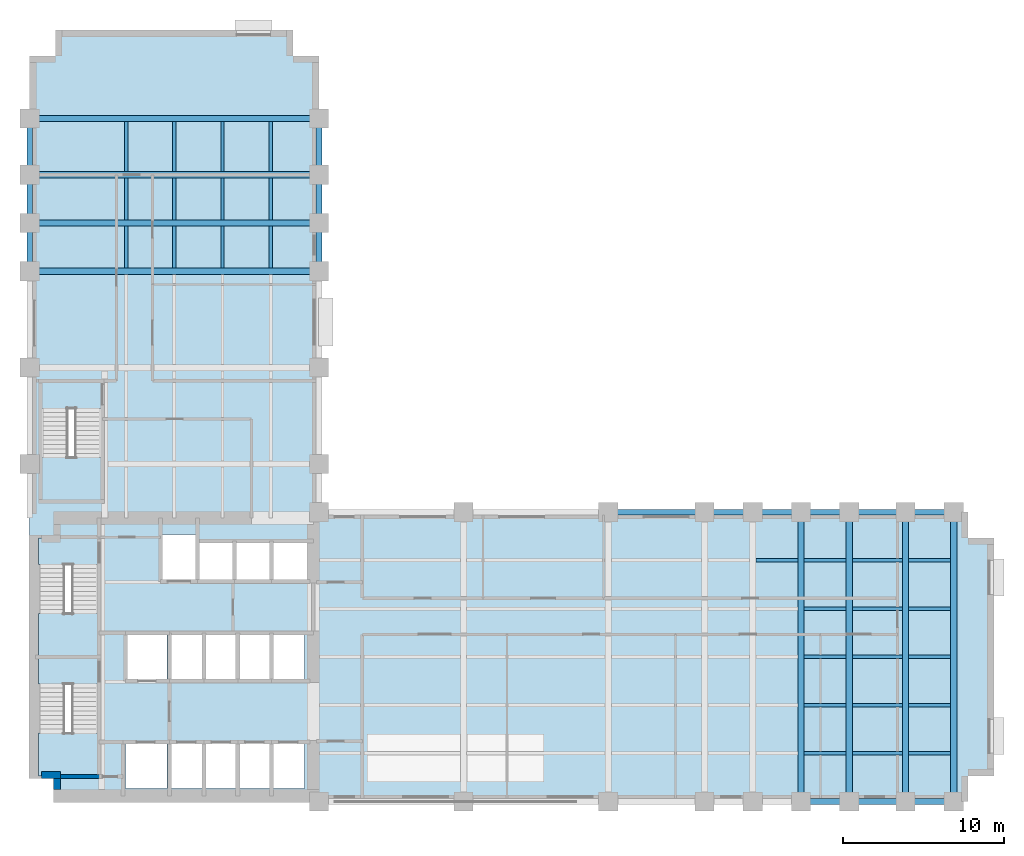
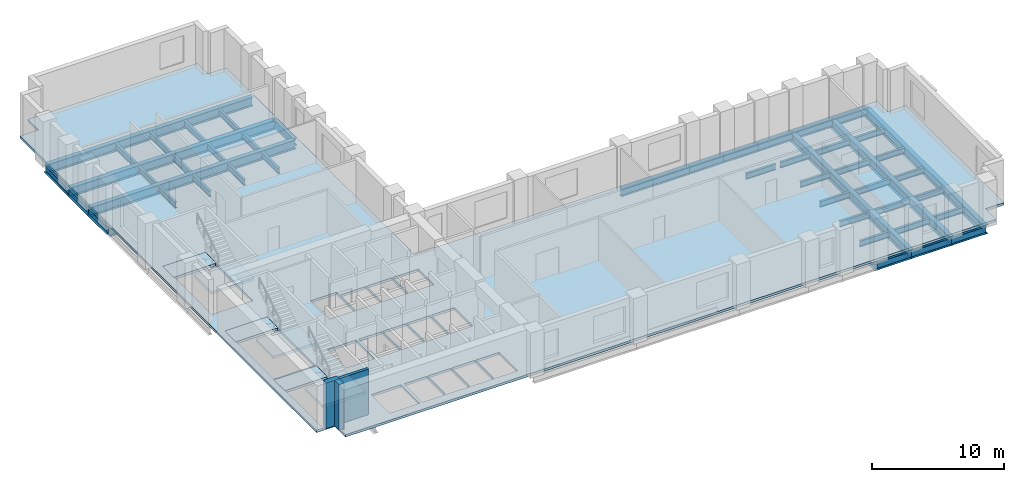
# One storey, part 2 of 8: 51 beams, 7 slabs, 3 walls, 3 elements without a shape of their own.
"""IFC4 building model written with IfcOpenShell, lengths in metres."""

from ifc_helpers import new_model, si_unit, direction, frame, frame_2d, origin, origin_2d, place, context, subcontext, project, spatial, polyline, rectangle, i_section, outline, extrude, material, layer, layer_set, material_profile, profile_set, type_object, element, aggregate, save


model = new_model("IFC4")

# Units and contexts
model_context = context("Model", 3, precision=1e-05, world=origin(), true_north=direction((0.0, 1.0)))
body_context = subcontext(model_context, "Body", "Model", "MODEL_VIEW")
ifc_project = project(units=[si_unit("LENGTHUNIT", "METRE"), si_unit("AREAUNIT", "SQUARE_METRE"), si_unit("VOLUMEUNIT", "CUBIC_METRE"), si_unit("PLANEANGLEUNIT", "RADIAN"), si_unit("MASSUNIT", "GRAM", prefix="KILO")], contexts=[model_context])

# Site, building, storey
site_placement = place(None, origin())
site = spatial("IfcSite", under=ifc_project, at=site_placement, CompositionType="ELEMENT")
building_placement = place(site_placement, origin())
building = spatial("IfcBuilding", under=site, at=building_placement, Name="Mawjdan Bourse Tower", CompositionType="ELEMENT")
storey_placement = place(building_placement, frame((0.0, 0.0, 38.39990234375)))
storey = spatial("IfcBuildingStorey", under=building, at=storey_placement, Name="L08", CompositionType="ELEMENT", Elevation=38.39990234375)

# Beams
ifc_material_1 = material(Name="Structural Steel S355", Category="steel")
ifc_material_profile_1 = material_profile(ifc_material_1, i_section(OverallWidth=0.39892578125, OverallDepth=0.85595703125, WebThickness=0.018310546875, FlangeThickness=0.029296875, FilletRadius=0.0234375, at=origin_2d()), Name="W33X201")
ifc_profile_set_1 = profile_set([ifc_material_profile_1], Name="Structural Steel S355")
beam_type_1 = type_object("IfcBeamType", Name="GRD-W33X201", PredefinedType="BEAM", material=ifc_profile_set_1)
for number, where, z_axis, x_axis, name in (
    (1, (54.0, 3.0, -0.64794921875), (0.0, 1.0, 0.0), (-1.0, 0.0, 0.0), "L08 East Wing Clear-Span Girder 006"),
    (2, (57.0, 3.0, -0.64794921875), (0.0, 1.0, 0.0), (-1.0, 0.0, 0.0), "L08 East Wing Clear-Span Girder 007"),
    (3, (60.5, 3.0, -0.64794921875), (0.0, 1.0, 0.0), (-1.0, 0.0, 0.0), "L08 East Wing Clear-Span Girder 008"),
    (4, (63.5, 3.0, -0.64794921875), (0.0, 1.0, 0.0), (-1.0, 0.0, 0.0), "L08 East Wing Clear-Span Girder 009"),
    (5, (6.0, 36.0, -0.64794921875), (1.0, 0.0, 0.0), (0.0, 1.0, 0.0), "L08 North Wing Clear-Span Girder 073"),
    (6, (6.0, 39.0, -0.64794921875), (1.0, 0.0, 0.0), (0.0, 1.0, 0.0), "L08 North Wing Clear-Span Girder 074"),
    (7, (6.0, 42.0, -0.64794921875), (1.0, 0.0, 0.0), (0.0, 1.0, 0.0), "L08 North Wing Clear-Span Girder 075"),
    (8, (6.0, 45.5, -0.64794921875), (1.0, 0.0, 0.0), (0.0, 1.0, 0.0), "L08 North Wing Clear-Span Girder 076"),
):
    element("IfcBeam", number, at=place(storey_placement, frame(where, z_axis=z_axis, x_axis=x_axis)), inside=storey, type_object=beam_type_1, Name=name, PredefinedType="BEAM", context=body_context, shape_type="SweptSolid", body=[
        extrude(i_section(OverallWidth=0.39892578125, OverallDepth=0.85595703125, WebThickness=0.018310546875, FlangeThickness=0.029296875, FilletRadius=0.0234375, at=origin_2d()), origin(), (0.0, 0.0, 1.0), 18.0),
    ])
ifc_material_profile_2 = material_profile(ifc_material_1, i_section(OverallWidth=0.2119140625, OverallDepth=0.5439453125, WebThickness=0.01318359375, FlangeThickness=0.021240234375, FilletRadius=0.01708984375, at=origin_2d()), Name="W21X83")
ifc_profile_set_2 = profile_set([ifc_material_profile_2], Name="Structural Steel S355")
beam_type_2 = type_object("IfcBeamType", Name="JST-W21X83", PredefinedType="JOIST", material=ifc_profile_set_2)
beam_1_placement = place(storey_placement, frame((54.197509765625, 6.0, -0.491943359375), z_axis=(1.0, 0.0, 0.0), x_axis=(0.0, 1.0, 0.0)))
element("IfcBeam", 9, at=beam_1_placement, inside=storey, type_object=beam_type_2, Name="L08 East Wing Composite Joist 031", PredefinedType="JOIST", context=body_context, shape_type="SweptSolid", body=[
    extrude(i_section(OverallWidth=0.2119140625, OverallDepth=0.5439453125, WebThickness=0.01318359375, FlangeThickness=0.021240234375, FilletRadius=0.01708984375, at=origin_2d()), origin(), (0.0, 0.0, 1.0), 2.60498046875),
])
beam_2_placement = place(storey_placement, frame((57.197509765625, 6.0, -0.491943359375), z_axis=(1.0, 0.0, 0.0), x_axis=(0.0, 1.0, 0.0)))
element("IfcBeam", 10, at=beam_2_placement, inside=storey, type_object=beam_type_2, Name="L08 East Wing Composite Joist 032", PredefinedType="JOIST", context=body_context, shape_type="SweptSolid", body=[
    extrude(i_section(OverallWidth=0.2119140625, OverallDepth=0.5439453125, WebThickness=0.01318359375, FlangeThickness=0.021240234375, FilletRadius=0.01708984375, at=origin_2d()), origin(), (0.0, 0.0, 1.0), 3.10498046875),
])
for number, where, z_axis, x_axis, name in (
    (11, (60.697509765625, 6.0, -0.491943359375), (1.0, 0.0, 0.0), (0.0, 1.0, 0.0), "L08 East Wing Composite Joist 033"),
    (12, (54.197509765625, 9.0, -0.491943359375), (1.0, 0.0, 0.0), (0.0, 1.0, 0.0), "L08 East Wing Composite Joist 039"),
):
    element("IfcBeam", number, at=place(storey_placement, frame(where, z_axis=z_axis, x_axis=x_axis)), inside=storey, type_object=beam_type_2, Name=name, PredefinedType="JOIST", context=body_context, shape_type="SweptSolid", body=[
        extrude(i_section(OverallWidth=0.2119140625, OverallDepth=0.5439453125, WebThickness=0.01318359375, FlangeThickness=0.021240234375, FilletRadius=0.01708984375, at=origin_2d()), origin(), (0.0, 0.0, 1.0), 2.60498046875),
    ])
beam_3_placement = place(storey_placement, frame((57.197509765625, 9.0, -0.491943359375), z_axis=(1.0, 0.0, 0.0), x_axis=(0.0, 1.0, 0.0)))
element("IfcBeam", 13, at=beam_3_placement, inside=storey, type_object=beam_type_2, Name="L08 East Wing Composite Joist 040", PredefinedType="JOIST", context=body_context, shape_type="SweptSolid", body=[
    extrude(i_section(OverallWidth=0.2119140625, OverallDepth=0.5439453125, WebThickness=0.01318359375, FlangeThickness=0.021240234375, FilletRadius=0.01708984375, at=origin_2d()), origin(), (0.0, 0.0, 1.0), 3.10498046875),
])
for number, where, z_axis, x_axis, name in (
    (14, (60.697509765625, 9.0, -0.491943359375), (1.0, 0.0, 0.0), (0.0, 1.0, 0.0), "L08 East Wing Composite Joist 041"),
    (15, (54.197509765625, 12.0, -0.491943359375), (1.0, 0.0, 0.0), (0.0, 1.0, 0.0), "L08 East Wing Composite Joist 047"),
):
    element("IfcBeam", number, at=place(storey_placement, frame(where, z_axis=z_axis, x_axis=x_axis)), inside=storey, type_object=beam_type_2, Name=name, PredefinedType="JOIST", context=body_context, shape_type="SweptSolid", body=[
        extrude(i_section(OverallWidth=0.2119140625, OverallDepth=0.5439453125, WebThickness=0.01318359375, FlangeThickness=0.021240234375, FilletRadius=0.01708984375, at=origin_2d()), origin(), (0.0, 0.0, 1.0), 2.60498046875),
    ])
beam_4_placement = place(storey_placement, frame((57.197509765625, 12.0, -0.491943359375), z_axis=(1.0, 0.0, 0.0), x_axis=(0.0, 1.0, 0.0)))
element("IfcBeam", 16, at=beam_4_placement, inside=storey, type_object=beam_type_2, Name="L08 East Wing Composite Joist 048", PredefinedType="JOIST", context=body_context, shape_type="SweptSolid", body=[
    extrude(i_section(OverallWidth=0.2119140625, OverallDepth=0.5439453125, WebThickness=0.01318359375, FlangeThickness=0.021240234375, FilletRadius=0.01708984375, at=origin_2d()), origin(), (0.0, 0.0, 1.0), 3.10498046875),
])
for number, where, z_axis, x_axis, name in (
    (17, (60.697509765625, 12.0, -0.491943359375), (1.0, 0.0, 0.0), (0.0, 1.0, 0.0), "L08 East Wing Composite Joist 049"),
    (18, (54.197509765625, 15.0, -0.491943359375), (1.0, 0.0, 0.0), (0.0, 1.0, 0.0), "L08 East Wing Composite Joist 055"),
):
    element("IfcBeam", number, at=place(storey_placement, frame(where, z_axis=z_axis, x_axis=x_axis)), inside=storey, type_object=beam_type_2, Name=name, PredefinedType="JOIST", context=body_context, shape_type="SweptSolid", body=[
        extrude(i_section(OverallWidth=0.2119140625, OverallDepth=0.5439453125, WebThickness=0.01318359375, FlangeThickness=0.021240234375, FilletRadius=0.01708984375, at=origin_2d()), origin(), (0.0, 0.0, 1.0), 2.60498046875),
    ])
beam_5_placement = place(storey_placement, frame((57.197509765625, 15.0, -0.491943359375), z_axis=(1.0, 0.0, 0.0), x_axis=(0.0, 1.0, 0.0)))
element("IfcBeam", 19, at=beam_5_placement, inside=storey, type_object=beam_type_2, Name="L08 East Wing Composite Joist 056", PredefinedType="JOIST", context=body_context, shape_type="SweptSolid", body=[
    extrude(i_section(OverallWidth=0.2119140625, OverallDepth=0.5439453125, WebThickness=0.01318359375, FlangeThickness=0.021240234375, FilletRadius=0.01708984375, at=origin_2d()), origin(), (0.0, 0.0, 1.0), 3.10498046875),
])
for number, where, z_axis, x_axis, name in (
    (20, (60.697509765625, 15.0, -0.491943359375), (1.0, 0.0, 0.0), (0.0, 1.0, 0.0), "L08 East Wing Composite Joist 057"),
    (21, (51.197509765625, 18.0, -0.491943359375), (1.0, 0.0, 0.0), (0.0, 1.0, 0.0), "L08 East Wing Composite Joist 062"),
    (22, (54.197509765625, 18.0, -0.491943359375), (1.0, 0.0, 0.0), (0.0, 1.0, 0.0), "L08 East Wing Composite Joist 063"),
):
    element("IfcBeam", number, at=place(storey_placement, frame(where, z_axis=z_axis, x_axis=x_axis)), inside=storey, type_object=beam_type_2, Name=name, PredefinedType="JOIST", context=body_context, shape_type="SweptSolid", body=[
        extrude(i_section(OverallWidth=0.2119140625, OverallDepth=0.5439453125, WebThickness=0.01318359375, FlangeThickness=0.021240234375, FilletRadius=0.01708984375, at=origin_2d()), origin(), (0.0, 0.0, 1.0), 2.60498046875),
    ])
beam_6_placement = place(storey_placement, frame((57.197509765625, 18.0, -0.491943359375), z_axis=(1.0, 0.0, 0.0), x_axis=(0.0, 1.0, 0.0)))
element("IfcBeam", 23, at=beam_6_placement, inside=storey, type_object=beam_type_2, Name="L08 East Wing Composite Joist 064", PredefinedType="JOIST", context=body_context, shape_type="SweptSolid", body=[
    extrude(i_section(OverallWidth=0.2119140625, OverallDepth=0.5439453125, WebThickness=0.01318359375, FlangeThickness=0.021240234375, FilletRadius=0.01708984375, at=origin_2d()), origin(), (0.0, 0.0, 1.0), 3.10498046875),
])
for number, where, z_axis, x_axis, name in (
    (24, (60.697509765625, 18.0, -0.491943359375), (1.0, 0.0, 0.0), (0.0, 1.0, 0.0), "L08 East Wing Composite Joist 065"),
    (25, (12.0, 36.197509765625, -0.491943359375), (0.0, 1.0, 0.0), (-1.0, 0.0, 0.0), "L08 North Wing Composite Joist 092"),
    (26, (12.0, 39.197509765625, -0.491943359375), (0.0, 1.0, 0.0), (-1.0, 0.0, 0.0), "L08 North Wing Composite Joist 093"),
):
    element("IfcBeam", number, at=place(storey_placement, frame(where, z_axis=z_axis, x_axis=x_axis)), inside=storey, type_object=beam_type_2, Name=name, PredefinedType="JOIST", context=body_context, shape_type="SweptSolid", body=[
        extrude(i_section(OverallWidth=0.2119140625, OverallDepth=0.5439453125, WebThickness=0.01318359375, FlangeThickness=0.021240234375, FilletRadius=0.01708984375, at=origin_2d()), origin(), (0.0, 0.0, 1.0), 2.60498046875),
    ])
beam_7_placement = place(storey_placement, frame((12.0, 42.197509765625, -0.491943359375), z_axis=(0.0, 1.0, 0.0), x_axis=(-1.0, 0.0, 0.0)))
element("IfcBeam", 27, at=beam_7_placement, inside=storey, type_object=beam_type_2, Name="L08 North Wing Composite Joist 094", PredefinedType="JOIST", context=body_context, shape_type="SweptSolid", body=[
    extrude(i_section(OverallWidth=0.2119140625, OverallDepth=0.5439453125, WebThickness=0.01318359375, FlangeThickness=0.021240234375, FilletRadius=0.01708984375, at=origin_2d()), origin(), (0.0, 0.0, 1.0), 3.10498046875),
])
for number, where, z_axis, x_axis, name in (
    (28, (15.0, 36.197509765625, -0.491943359375), (0.0, 1.0, 0.0), (-1.0, 0.0, 0.0), "L08 North Wing Composite Joist 098"),
    (29, (15.0, 39.197509765625, -0.491943359375), (0.0, 1.0, 0.0), (-1.0, 0.0, 0.0), "L08 North Wing Composite Joist 099"),
):
    element("IfcBeam", number, at=place(storey_placement, frame(where, z_axis=z_axis, x_axis=x_axis)), inside=storey, type_object=beam_type_2, Name=name, PredefinedType="JOIST", context=body_context, shape_type="SweptSolid", body=[
        extrude(i_section(OverallWidth=0.2119140625, OverallDepth=0.5439453125, WebThickness=0.01318359375, FlangeThickness=0.021240234375, FilletRadius=0.01708984375, at=origin_2d()), origin(), (0.0, 0.0, 1.0), 2.60498046875),
    ])
beam_8_placement = place(storey_placement, frame((15.0, 42.197509765625, -0.491943359375), z_axis=(0.0, 1.0, 0.0), x_axis=(-1.0, 0.0, 0.0)))
element("IfcBeam", 30, at=beam_8_placement, inside=storey, type_object=beam_type_2, Name="L08 North Wing Composite Joist 100", PredefinedType="JOIST", context=body_context, shape_type="SweptSolid", body=[
    extrude(i_section(OverallWidth=0.2119140625, OverallDepth=0.5439453125, WebThickness=0.01318359375, FlangeThickness=0.021240234375, FilletRadius=0.01708984375, at=origin_2d()), origin(), (0.0, 0.0, 1.0), 3.10498046875),
])
for number, where, z_axis, x_axis, name in (
    (31, (18.0, 36.197509765625, -0.491943359375), (0.0, 1.0, 0.0), (-1.0, 0.0, 0.0), "L08 North Wing Composite Joist 104"),
    (32, (18.0, 39.197509765625, -0.491943359375), (0.0, 1.0, 0.0), (-1.0, 0.0, 0.0), "L08 North Wing Composite Joist 105"),
):
    element("IfcBeam", number, at=place(storey_placement, frame(where, z_axis=z_axis, x_axis=x_axis)), inside=storey, type_object=beam_type_2, Name=name, PredefinedType="JOIST", context=body_context, shape_type="SweptSolid", body=[
        extrude(i_section(OverallWidth=0.2119140625, OverallDepth=0.5439453125, WebThickness=0.01318359375, FlangeThickness=0.021240234375, FilletRadius=0.01708984375, at=origin_2d()), origin(), (0.0, 0.0, 1.0), 2.60498046875),
    ])
beam_9_placement = place(storey_placement, frame((18.0, 42.197509765625, -0.491943359375), z_axis=(0.0, 1.0, 0.0), x_axis=(-1.0, 0.0, 0.0)))
element("IfcBeam", 33, at=beam_9_placement, inside=storey, type_object=beam_type_2, Name="L08 North Wing Composite Joist 106", PredefinedType="JOIST", context=body_context, shape_type="SweptSolid", body=[
    extrude(i_section(OverallWidth=0.2119140625, OverallDepth=0.5439453125, WebThickness=0.01318359375, FlangeThickness=0.021240234375, FilletRadius=0.01708984375, at=origin_2d()), origin(), (0.0, 0.0, 1.0), 3.10498046875),
])
for number, where, z_axis, x_axis, name in (
    (34, (21.0, 36.197509765625, -0.491943359375), (0.0, 1.0, 0.0), (-1.0, 0.0, 0.0), "L08 North Wing Composite Joist 110"),
    (35, (21.0, 39.197509765625, -0.491943359375), (0.0, 1.0, 0.0), (-1.0, 0.0, 0.0), "L08 North Wing Composite Joist 111"),
):
    element("IfcBeam", number, at=place(storey_placement, frame(where, z_axis=z_axis, x_axis=x_axis)), inside=storey, type_object=beam_type_2, Name=name, PredefinedType="JOIST", context=body_context, shape_type="SweptSolid", body=[
        extrude(i_section(OverallWidth=0.2119140625, OverallDepth=0.5439453125, WebThickness=0.01318359375, FlangeThickness=0.021240234375, FilletRadius=0.01708984375, at=origin_2d()), origin(), (0.0, 0.0, 1.0), 2.60498046875),
    ])
beam_10_placement = place(storey_placement, frame((21.0, 42.197509765625, -0.491943359375), z_axis=(0.0, 1.0, 0.0), x_axis=(-1.0, 0.0, 0.0)))
element("IfcBeam", 36, at=beam_10_placement, inside=storey, type_object=beam_type_2, Name="L08 North Wing Composite Joist 112", PredefinedType="JOIST", context=body_context, shape_type="SweptSolid", body=[
    extrude(i_section(OverallWidth=0.2119140625, OverallDepth=0.5439453125, WebThickness=0.01318359375, FlangeThickness=0.021240234375, FilletRadius=0.01708984375, at=origin_2d()), origin(), (0.0, 0.0, 1.0), 3.10498046875),
])
ifc_material_profile_3 = material_profile(ifc_material_1, i_section(OverallWidth=0.35498046875, OverallDepth=0.696044921875, WebThickness=0.015380859375, FlangeThickness=0.02490234375, FilletRadius=0.019775390625, at=origin_2d()), Name="W27X146")
ifc_profile_set_3 = profile_set([ifc_material_profile_3], Name="Structural Steel S355")
beam_type_3 = type_object("IfcBeamType", Name="SPN-W27X146", PredefinedType="SPANDREL", material=ifc_profile_set_3)
beam_11_placement = place(storey_placement, frame((54.0, 3.0, -0.56787109375), z_axis=(1.0, 0.0, 0.0), x_axis=(0.0, 1.0, 0.0)))
element("IfcBeam", 37, at=beam_11_placement, inside=storey, type_object=beam_type_3, Name="L08 Perimeter Masonry-Shelf Spandrel 015", PredefinedType="SPANDREL", context=body_context, shape_type="SweptSolid", body=[
    extrude(i_section(OverallWidth=0.35498046875, OverallDepth=0.696044921875, WebThickness=0.015380859375, FlangeThickness=0.02490234375, FilletRadius=0.019775390625, at=origin_2d()), origin(), (0.0, 0.0, 1.0), 3.0),
])
beam_12_placement = place(storey_placement, frame((57.0, 3.0, -0.56787109375), z_axis=(1.0, 0.0, 0.0), x_axis=(0.0, 1.0, 0.0)))
element("IfcBeam", 38, at=beam_12_placement, inside=storey, type_object=beam_type_3, Name="L08 Perimeter Masonry-Shelf Spandrel 016", PredefinedType="SPANDREL", context=body_context, shape_type="SweptSolid", body=[
    extrude(i_section(OverallWidth=0.35498046875, OverallDepth=0.696044921875, WebThickness=0.015380859375, FlangeThickness=0.02490234375, FilletRadius=0.019775390625, at=origin_2d()), origin(), (0.0, 0.0, 1.0), 3.5),
])
beam_13_placement = place(storey_placement, frame((60.5, 3.0, -0.56787109375), z_axis=(1.0, 0.0, 0.0), x_axis=(0.0, 1.0, 0.0)))
element("IfcBeam", 39, at=beam_13_placement, inside=storey, type_object=beam_type_3, Name="L08 Perimeter Masonry-Shelf Spandrel 017", PredefinedType="SPANDREL", context=body_context, shape_type="SweptSolid", body=[
    extrude(i_section(OverallWidth=0.35498046875, OverallDepth=0.696044921875, WebThickness=0.015380859375, FlangeThickness=0.02490234375, FilletRadius=0.019775390625, at=origin_2d()), origin(), (0.0, 0.0, 1.0), 3.0),
])
beam_14_placement = place(storey_placement, frame((42.0, 21.0, -0.56787109375), z_axis=(1.0, 0.0, 0.0), x_axis=(0.0, 1.0, 0.0)))
element("IfcBeam", 40, at=beam_14_placement, inside=storey, type_object=beam_type_3, Name="L08 Perimeter Masonry-Shelf Spandrel 020", PredefinedType="SPANDREL", context=body_context, shape_type="SweptSolid", body=[
    extrude(i_section(OverallWidth=0.35498046875, OverallDepth=0.696044921875, WebThickness=0.015380859375, FlangeThickness=0.02490234375, FilletRadius=0.019775390625, at=origin_2d()), origin(), (0.0, 0.0, 1.0), 6.0),
])
for number, where, z_axis, x_axis, name in (
    (41, (48.0, 21.0, -0.56787109375), (1.0, 0.0, 0.0), (0.0, 1.0, 0.0), "L08 Perimeter Masonry-Shelf Spandrel 021"),
    (42, (51.0, 21.0, -0.56787109375), (1.0, 0.0, 0.0), (0.0, 1.0, 0.0), "L08 Perimeter Masonry-Shelf Spandrel 022"),
    (43, (54.0, 21.0, -0.56787109375), (1.0, 0.0, 0.0), (0.0, 1.0, 0.0), "L08 Perimeter Masonry-Shelf Spandrel 023"),
):
    element("IfcBeam", number, at=place(storey_placement, frame(where, z_axis=z_axis, x_axis=x_axis)), inside=storey, type_object=beam_type_3, Name=name, PredefinedType="SPANDREL", context=body_context, shape_type="SweptSolid", body=[
        extrude(i_section(OverallWidth=0.35498046875, OverallDepth=0.696044921875, WebThickness=0.015380859375, FlangeThickness=0.02490234375, FilletRadius=0.019775390625, at=origin_2d()), origin(), (0.0, 0.0, 1.0), 3.0),
    ])
beam_15_placement = place(storey_placement, frame((57.0, 21.0, -0.56787109375), z_axis=(1.0, 0.0, 0.0), x_axis=(0.0, 1.0, 0.0)))
element("IfcBeam", 44, at=beam_15_placement, inside=storey, type_object=beam_type_3, Name="L08 Perimeter Masonry-Shelf Spandrel 024", PredefinedType="SPANDREL", context=body_context, shape_type="SweptSolid", body=[
    extrude(i_section(OverallWidth=0.35498046875, OverallDepth=0.696044921875, WebThickness=0.015380859375, FlangeThickness=0.02490234375, FilletRadius=0.019775390625, at=origin_2d()), origin(), (0.0, 0.0, 1.0), 3.5),
])
for number, where, z_axis, x_axis, name in (
    (45, (60.5, 21.0, -0.56787109375), (1.0, 0.0, 0.0), (0.0, 1.0, 0.0), "L08 Perimeter Masonry-Shelf Spandrel 025"),
    (46, (6.0, 36.0, -0.56787109375), (0.0, 1.0, 0.0), (-1.0, 0.0, 0.0), "L08 North Wing Spandrel 080"),
    (47, (6.0, 39.0, -0.56787109375), (0.0, 1.0, 0.0), (-1.0, 0.0, 0.0), "L08 North Wing Spandrel 081"),
):
    element("IfcBeam", number, at=place(storey_placement, frame(where, z_axis=z_axis, x_axis=x_axis)), inside=storey, type_object=beam_type_3, Name=name, PredefinedType="SPANDREL", context=body_context, shape_type="SweptSolid", body=[
        extrude(i_section(OverallWidth=0.35498046875, OverallDepth=0.696044921875, WebThickness=0.015380859375, FlangeThickness=0.02490234375, FilletRadius=0.019775390625, at=origin_2d()), origin(), (0.0, 0.0, 1.0), 3.0),
    ])
beam_16_placement = place(storey_placement, frame((6.0, 42.0, -0.56787109375), z_axis=(0.0, 1.0, 0.0), x_axis=(-1.0, 0.0, 0.0)))
element("IfcBeam", 48, at=beam_16_placement, inside=storey, type_object=beam_type_3, Name="L08 North Wing Spandrel 082", PredefinedType="SPANDREL", context=body_context, shape_type="SweptSolid", body=[
    extrude(i_section(OverallWidth=0.35498046875, OverallDepth=0.696044921875, WebThickness=0.015380859375, FlangeThickness=0.02490234375, FilletRadius=0.019775390625, at=origin_2d()), origin(), (0.0, 0.0, 1.0), 3.5),
])
for number, where, z_axis, x_axis, name in (
    (49, (24.0, 36.0, -0.56787109375), (0.0, 1.0, 0.0), (-1.0, 0.0, 0.0), "L08 North Wing Spandrel 086"),
    (50, (24.0, 39.0, -0.56787109375), (0.0, 1.0, 0.0), (-1.0, 0.0, 0.0), "L08 North Wing Spandrel 087"),
):
    element("IfcBeam", number, at=place(storey_placement, frame(where, z_axis=z_axis, x_axis=x_axis)), inside=storey, type_object=beam_type_3, Name=name, PredefinedType="SPANDREL", context=body_context, shape_type="SweptSolid", body=[
        extrude(i_section(OverallWidth=0.35498046875, OverallDepth=0.696044921875, WebThickness=0.015380859375, FlangeThickness=0.02490234375, FilletRadius=0.019775390625, at=origin_2d()), origin(), (0.0, 0.0, 1.0), 3.0),
    ])
beam_17_placement = place(storey_placement, frame((24.0, 42.0, -0.56787109375), z_axis=(0.0, 1.0, 0.0), x_axis=(-1.0, 0.0, 0.0)))
element("IfcBeam", 51, at=beam_17_placement, inside=storey, type_object=beam_type_3, Name="L08 North Wing Spandrel 088", PredefinedType="SPANDREL", context=body_context, shape_type="SweptSolid", body=[
    extrude(i_section(OverallWidth=0.35498046875, OverallDepth=0.696044921875, WebThickness=0.015380859375, FlangeThickness=0.02490234375, FilletRadius=0.019775390625, at=origin_2d()), origin(), (0.0, 0.0, 1.0), 3.5),
])

# Stair, slabs
ifc_material_2 = material(Name="Concrete C50/60", Category="concrete")
stair_type = type_object("IfcStairType", Name="STR-CORE-1500", PredefinedType="HALF_TURN_STAIR", material=ifc_material_2)
stair_1_placement = place(storey_placement, origin())
stair_1 = element("IfcStair", 52, at=stair_1_placement, inside=storey, type_object=stair_type, Name="L08 Exit Stair 1 (Core South-West)", PredefinedType="HALF_TURN_STAIR")
ifc_layer_1 = layer(ifc_material_2, 0.22998046875)
ifc_layer_set_1 = layer_set([ifc_layer_1], Name="Concrete C50/60")
slab_type_1 = type_object("IfcSlabType", Name="SL-LND-230", PredefinedType="LANDING", material=ifc_layer_set_1)
slab_1_placement = place(storey_placement, frame((0.0, 0.0, -0.22998046875)))
slab_1 = element("IfcSlab", 53, at=slab_1_placement, type_object=slab_type_1, Name="ST1-L08 landing 1", PredefinedType="LANDING", context=body_context, shape_type="SweptSolid", body=[
    extrude(outline(polyline([(6.5400390625, 10.31005859375), (10.260009765625, 10.31005859375), (10.260009765625, 11.969970703125), (6.5400390625, 11.969970703125), (6.5400390625, 10.31005859375)])), origin(), (0.0, 0.0, 1.0), 0.22998046875),
])
slab_2_placement = place(storey_placement, frame((0.0, 0.0, 1.8701171875)))
slab_2 = element("IfcSlab", 54, at=slab_2_placement, type_object=slab_type_1, Name="ST1-L08 landing 2", PredefinedType="LANDING", context=body_context, shape_type="SweptSolid", body=[
    extrude(outline(polyline([(6.5400390625, 4.590087890625), (10.260009765625, 4.590087890625), (10.260009765625, 7.2548828125), (6.5400390625, 7.2548828125), (6.5400390625, 4.590087890625)])), origin(), (0.0, 0.0, 1.0), 0.22998046875),
])
aggregate(stair_1, [slab_1, slab_2])

stair_2_placement = place(storey_placement, origin())
stair_2 = element("IfcStair", 55, at=stair_2_placement, inside=storey, type_object=stair_type, Name="L08 Exit Stair 2 (Core North-West)", PredefinedType="HALF_TURN_STAIR")
slab_3_placement = place(storey_placement, frame((0.0, 0.0, -0.22998046875)))
slab_3 = element("IfcSlab", 56, at=slab_3_placement, type_object=slab_type_1, Name="ST2-L08 landing 1", PredefinedType="LANDING", context=body_context, shape_type="SweptSolid", body=[
    extrude(outline(polyline([(6.5400390625, 17.75), (10.260009765625, 17.75), (10.260009765625, 19.409912109375), (6.5400390625, 19.409912109375), (6.5400390625, 17.75)])), origin(), (0.0, 0.0, 1.0), 0.22998046875),
])
slab_4_placement = place(storey_placement, frame((0.0, 0.0, 1.8701171875)))
slab_4 = element("IfcSlab", 57, at=slab_4_placement, type_object=slab_type_1, Name="ST2-L08 landing 2", PredefinedType="LANDING", context=body_context, shape_type="SweptSolid", body=[
    extrude(outline(polyline([(6.5400390625, 12.030029296875), (10.260009765625, 12.030029296875), (10.260009765625, 14.695068359375), (6.5400390625, 14.695068359375), (6.5400390625, 12.030029296875)])), origin(), (0.0, 0.0, 1.0), 0.22998046875),
])
aggregate(stair_2, [slab_3, slab_4])

stair_3_placement = place(storey_placement, origin())
stair_3 = element("IfcStair", 58, at=stair_3_placement, inside=storey, type_object=stair_type, Name="L08 Exit Stair 3 (North Wing)", PredefinedType="HALF_TURN_STAIR")
slab_5_placement = place(storey_placement, frame((0.0, 0.0, -0.22998046875)))
slab_5 = element("IfcSlab", 59, at=slab_5_placement, type_object=slab_type_1, Name="ST3-L08 landing 1", PredefinedType="LANDING", context=body_context, shape_type="SweptSolid", body=[
    extrude(outline(polyline([(6.739990234375, 27.4599609375), (10.4599609375, 27.4599609375), (10.4599609375, 29.1201171875), (6.739990234375, 29.1201171875), (6.739990234375, 27.4599609375)])), origin(), (0.0, 0.0, 1.0), 0.22998046875),
])
slab_6_placement = place(storey_placement, frame((0.0, 0.0, 1.8701171875)))
slab_6 = element("IfcSlab", 60, at=slab_6_placement, type_object=slab_type_1, Name="ST3-L08 landing 2", PredefinedType="LANDING", context=body_context, shape_type="SweptSolid", body=[
    extrude(outline(polyline([(6.739990234375, 21.739990234375), (10.4599609375, 21.739990234375), (10.4599609375, 24.405029296875), (6.739990234375, 24.405029296875), (6.739990234375, 21.739990234375)])), origin(), (0.0, 0.0, 1.0), 0.22998046875),
])
aggregate(stair_3, [slab_5, slab_6])

# Slab
ifc_layer_2 = layer(ifc_material_2, 0.219970703125)
ifc_layer_set_2 = layer_set([ifc_layer_2], Name="Concrete C50/60")
slab_type_2 = type_object("IfcSlabType", Name="SL-TRD-220", PredefinedType="FLOOR", material=ifc_layer_set_2)
slab_7_placement = place(storey_placement, frame((0.0, 0.0, -0.219970703125)))
element("IfcSlab", 61, at=slab_7_placement, inside=storey, type_object=slab_type_2, Name="L08 Structural Floor Slab 1", PredefinedType="FLOOR", context=body_context, shape_type="SweptSolid", body=[
    extrude(outline(polyline([(7.60009765625, 3.0), (64.39990234375, 3.0), (64.39990234375, 4.60009765625), (66.0, 4.60009765625), (66.0, 19.39990234375), (64.39990234375, 19.39990234375), (64.39990234375, 21.0), (24.0, 21.0), (24.0, 49.39990234375), (22.39990234375, 49.39990234375), (22.39990234375, 51.0), (7.60009765625, 51.0), (7.60009765625, 49.39990234375), (6.0, 49.39990234375), (6.0, 4.60009765625), (7.60009765625, 4.60009765625), (7.60009765625, 3.0)]), holes=[polyline([(11.949951171875, 3.800048828125), (11.949951171875, 6.60009765625), (14.550048828125, 6.60009765625), (14.550048828125, 3.800048828125), (11.949951171875, 3.800048828125)]), polyline([(14.800048828125, 3.800048828125), (14.800048828125, 6.60009765625), (16.800048828125, 6.60009765625), (16.800048828125, 3.800048828125), (14.800048828125, 3.800048828125)]), polyline([(10.260009765625, 11.969970703125), (10.260009765625, 10.31005859375), (10.199951171875, 10.31005859375), (10.199951171875, 4.64990234375), (6.60009765625, 4.64990234375), (6.60009765625, 10.31005859375), (6.5400390625, 10.31005859375), (6.5400390625, 11.969970703125), (10.260009765625, 11.969970703125)]), polyline([(12.050048828125, 13.39990234375), (14.550048828125, 13.39990234375), (14.550048828125, 10.60009765625), (12.050048828125, 10.60009765625), (12.050048828125, 13.39990234375)]), polyline([(6.60009765625, 17.75), (6.5400390625, 17.75), (6.5400390625, 19.409912109375), (10.260009765625, 19.409912109375), (10.260009765625, 17.75), (10.199951171875, 17.75), (10.199951171875, 12.090087890625), (6.60009765625, 12.090087890625), (6.60009765625, 17.75)]), polyline([(14.199951171875, 16.800048828125), (14.199951171875, 19.60009765625), (16.39990234375, 19.60009765625), (16.39990234375, 16.800048828125), (14.199951171875, 16.800048828125)]), polyline([(10.4599609375, 27.4599609375), (10.39990234375, 27.4599609375), (10.39990234375, 21.800048828125), (6.800048828125, 21.800048828125), (6.800048828125, 27.4599609375), (6.739990234375, 27.4599609375), (6.739990234375, 29.1201171875), (10.4599609375, 29.1201171875), (10.4599609375, 27.4599609375)]), polyline([(16.89990234375, 3.800048828125), (16.89990234375, 6.60009765625), (18.89990234375, 6.60009765625), (18.89990234375, 3.800048828125), (16.89990234375, 3.800048828125)]), polyline([(19.0, 3.800048828125), (19.0, 6.60009765625), (21.0, 6.60009765625), (21.0, 3.800048828125), (19.0, 3.800048828125)]), polyline([(21.10009765625, 3.800048828125), (21.10009765625, 6.60009765625), (23.10009765625, 6.60009765625), (23.10009765625, 3.800048828125), (21.10009765625, 3.800048828125)]), polyline([(14.800048828125, 13.39990234375), (16.800048828125, 13.39990234375), (16.800048828125, 10.60009765625), (14.800048828125, 10.60009765625), (14.800048828125, 13.39990234375)]), polyline([(16.89990234375, 13.39990234375), (18.89990234375, 13.39990234375), (18.89990234375, 10.60009765625), (16.89990234375, 10.60009765625), (16.89990234375, 13.39990234375)]), polyline([(19.0, 10.60009765625), (19.0, 13.39990234375), (21.0, 13.39990234375), (21.0, 10.60009765625), (19.0, 10.60009765625)]), polyline([(21.10009765625, 10.60009765625), (21.10009765625, 13.39990234375), (23.10009765625, 13.39990234375), (23.10009765625, 10.60009765625), (21.10009765625, 10.60009765625)]), polyline([(16.5, 16.800048828125), (16.5, 19.14990234375), (18.699951171875, 19.14990234375), (18.699951171875, 16.800048828125), (16.5, 16.800048828125)]), polyline([(18.800048828125, 19.14990234375), (21.0, 19.14990234375), (21.0, 16.800048828125), (18.800048828125, 16.800048828125), (18.800048828125, 19.14990234375)]), polyline([(21.10009765625, 19.14990234375), (23.300048828125, 19.14990234375), (23.300048828125, 16.800048828125), (21.10009765625, 16.800048828125), (21.10009765625, 19.14990234375)])]), origin(), (0.0, 0.0, 1.0), 0.219970703125),
])

# Walls
ifc_material_3 = material(Name="Concrete C60/75", Category="concrete")
ifc_layer_3 = layer(ifc_material_3, 0.449951171875)
ifc_layer_set_3 = layer_set([ifc_layer_3], Name="Concrete C60/75")
wall_type_1 = type_object("IfcWallType", Name="WL-CORE-450", PredefinedType="SHEAR", material=ifc_layer_set_3)
wall_1_placement = place(storey_placement, frame((6.75, 4.64990234375, 0.0), z_axis=(0.0, 0.0, 1.0), x_axis=(1.0, 0.0, 0.0)))
element("IfcWall", 62, at=wall_1_placement, inside=storey, type_object=wall_type_1, Name="L08 Rear Core Shear Wall SW-X", PredefinedType="SHEAR", context=body_context, shape_type="SweptSolid", body=[
    extrude(rectangle(XDim=1.175048828125, YDim=0.449951171875, at=frame_2d((0.58740234375, 0.0))), origin(), (0.0, 0.0, 1.0), 4.2001953125),
])
wall_2_placement = place(storey_placement, frame((7.699951171875, 3.75, 0.0), z_axis=(0.0, 0.0, 1.0), x_axis=(0.0, 1.0, 0.0)))
element("IfcWall", 63, at=wall_2_placement, inside=storey, type_object=wall_type_1, Name="L08 Rear Core Shear Wall SW-Y", PredefinedType="SHEAR", context=body_context, shape_type="SweptSolid", body=[
    extrude(rectangle(XDim=0.675048828125, YDim=0.449951171875, at=frame_2d((0.33740234375, 0.0))), origin(), (0.0, 0.0, 1.0), 4.2001953125),
])
ifc_layer_4 = layer(ifc_material_2, 0.25)
ifc_layer_set_4 = layer_set([ifc_layer_4], Name="Concrete C50/60")
wall_type_2 = type_object("IfcWallType", Name="WL-STRW-250", PredefinedType="SHEAR", material=ifc_layer_set_4)
wall_3_placement = place(storey_placement, frame((7.699951171875, 4.550048828125, 0.0), z_axis=(0.0, 0.0, 1.0), x_axis=(1.0, 0.0, 0.0)))
element("IfcWall", 64, at=wall_3_placement, inside=storey, type_object=wall_type_2, Name="L08 Stairwell ST1 South Shaft Wall", PredefinedType="SHEAR", context=body_context, shape_type="SweptSolid", body=[
    extrude(rectangle(XDim=2.755126953125, YDim=0.25, at=frame_2d((1.37744140625, 0.0))), origin(), (0.0, 0.0, 1.0), 4.2001953125),
])

save(model, "model.ifc")
